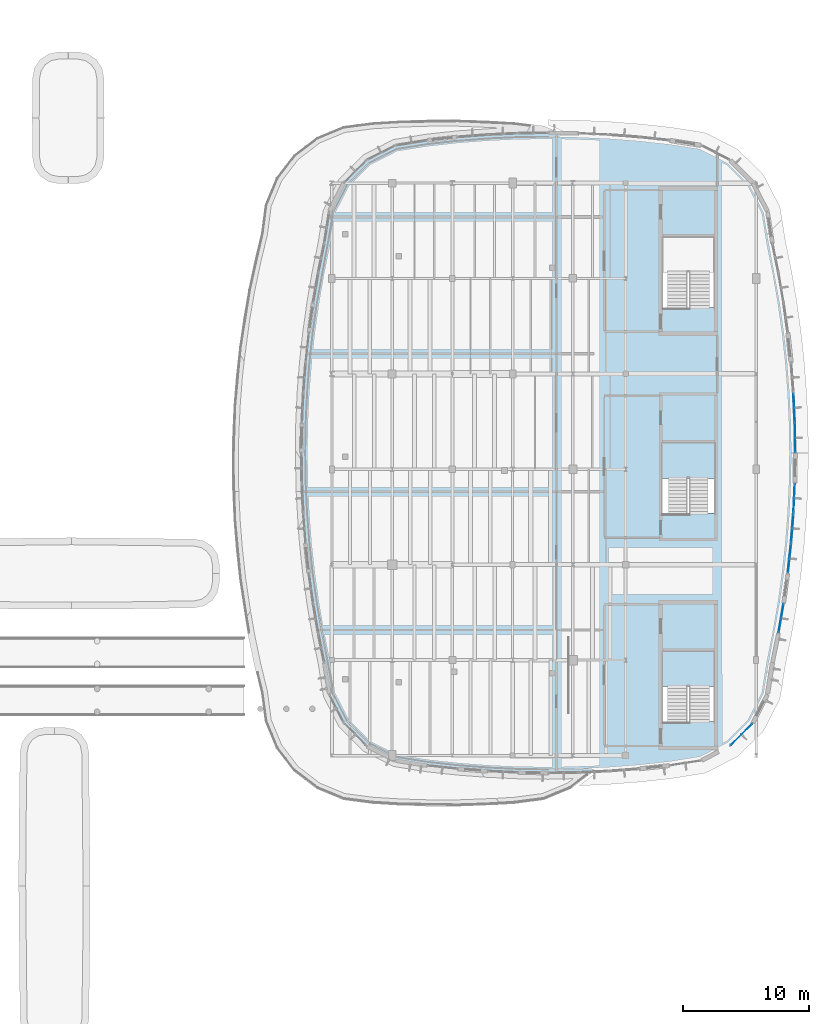
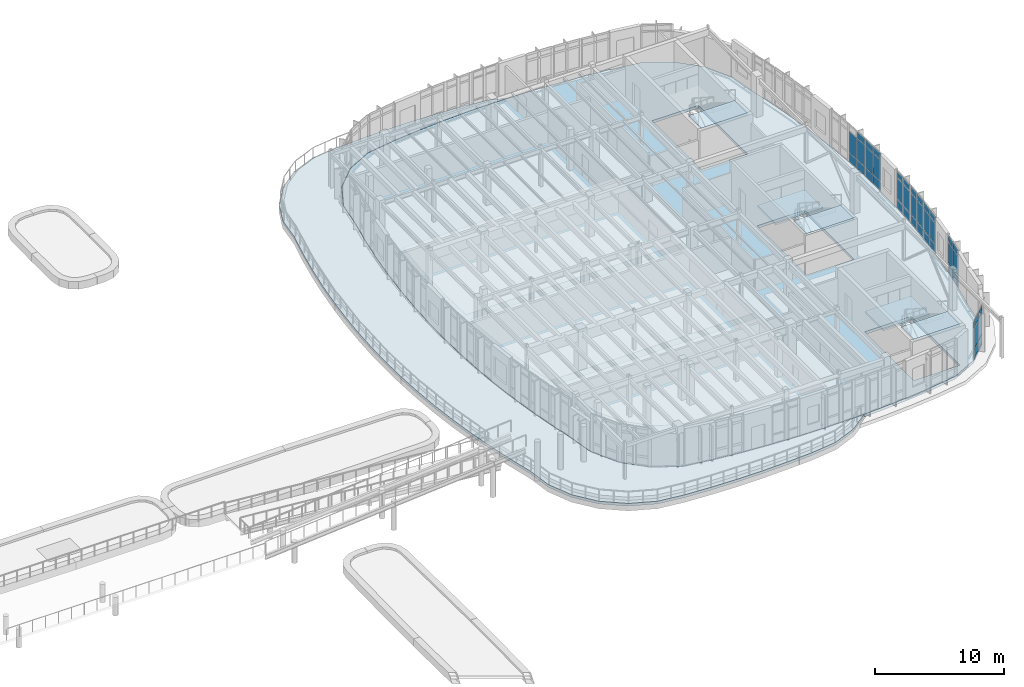
# One storey, part 78 of 111: 41 plates, 7 slabs, 10 elements without a shape of their own.
"""IFC4 building model written with IfcOpenShell, lengths in metres."""

from ifc_helpers import new_model, si_unit, direction, frame, origin, origin_2d, place, context, subcontext, project, spatial, polyline, rectangle, outline, extrude, material, layer, layer_set, type_object, element, aggregate, save


model = new_model("IFC4")

# Units and contexts
model_context = context("Model", 3, precision=1e-05, world=origin(), true_north=direction((0.0, 1.0)))
body_context = subcontext(model_context, "Body", "Model", "MODEL_VIEW")
ifc_project = project(units=[si_unit("LENGTHUNIT", "METRE"), si_unit("AREAUNIT", "SQUARE_METRE"), si_unit("VOLUMEUNIT", "CUBIC_METRE"), si_unit("PLANEANGLEUNIT", "RADIAN"), si_unit("MASSUNIT", "GRAM", prefix="KILO")], contexts=[model_context])

# Site, building, storey
site_placement = place(None, origin())
site = spatial("IfcSite", under=ifc_project, at=site_placement, CompositionType="ELEMENT")
building_placement = place(site_placement, origin())
building = spatial("IfcBuilding", under=site, at=building_placement, Name="Corveleigh Park Community Centre", CompositionType="ELEMENT")
storey_placement = place(building_placement, frame((0.0, 0.0, 4.800048828125)))
storey = spatial("IfcBuildingStorey", under=building, at=storey_placement, Name="L01", CompositionType="ELEMENT", Elevation=4.800048828125)

# Curtain wall, plates
ifc_material_1 = material(Name="Anodised aluminium 6063-T6", Category="aluminium")
curtain_wall_type = type_object("IfcCurtainWallType", Name="CW-SYS-V4-L01", PredefinedType="NOTDEFINED", material=ifc_material_1)
curtain_wall_1_placement = place(storey_placement, origin())
curtain_wall_1 = element("IfcCurtainWall", 1, at=curtain_wall_1_placement, inside=storey, type_object=curtain_wall_type, Name="V4 L01 Curtain Wall 266", PredefinedType="NOTDEFINED")
ifc_material_2 = material(Name="Low-E double glazing", Category="glass")
ifc_layer_1 = layer(ifc_material_2, 0.02392578125, Name="Low-E double glazing", Category="glass")
ifc_layer_set_1 = layer_set([ifc_layer_1], Name="Low-E double glazing")
plate_type_1 = type_object("IfcPlateType", Name="CWP-GLZ-24", PredefinedType="CURTAIN_PANEL", material=ifc_layer_set_1)
plate_1_placement = place(storey_placement, frame((167.655517578125, 60.701416015625, 0.059814453125), z_axis=(0.0, 0.0, 1.0), x_axis=(-0.707106781187, -0.707106781187, 0.0)))
plate_1 = element("IfcPlate", 2, at=plate_1_placement, type_object=plate_type_1, Name="CW08 panel 1.1", PredefinedType="CURTAIN_PANEL", context=body_context, shape_type="SweptSolid", body=[
    extrude(rectangle(XDim=1.14697265625, YDim=0.02392578125, at=origin_2d()), origin(), (0.0, 0.0, 1.0), 0.81005859375),
])
plate_2_placement = place(storey_placement, frame((167.655517578125, 60.701416015625, 0.929931640625), z_axis=(0.0, 0.0, 1.0), x_axis=(-0.707106781187, -0.707106781187, 0.0)))
plate_2 = element("IfcPlate", 3, at=plate_2_placement, type_object=plate_type_1, Name="CW08 panel 1.2", PredefinedType="CURTAIN_PANEL", context=body_context, shape_type="SweptSolid", body=[
    extrude(rectangle(XDim=1.14697265625, YDim=0.02392578125, at=origin_2d()), origin(), (0.0, 0.0, 1.0), 2.001953125),
])
plate_3_placement = place(storey_placement, frame((167.655517578125, 60.701416015625, 2.991943359375), z_axis=(0.0, 0.0, 1.0), x_axis=(-0.707106781187, -0.707106781187, 0.0)))
plate_3 = element("IfcPlate", 4, at=plate_3_placement, type_object=plate_type_1, Name="CW08 panel 1.3", PredefinedType="CURTAIN_PANEL", context=body_context, shape_type="SweptSolid", body=[
    extrude(rectangle(XDim=1.14697265625, YDim=0.02392578125, at=origin_2d()), origin(), (0.0, 0.0, 1.0), 0.56005859375),
])
plate_4_placement = place(storey_placement, frame((166.798583984375, 59.844482421875, 0.059814453125), z_axis=(0.0, 0.0, 1.0), x_axis=(-0.707106781187, -0.707106781187, 0.0)))
plate_4 = element("IfcPlate", 5, at=plate_4_placement, type_object=plate_type_1, Name="CW08 panel 2.1", PredefinedType="CURTAIN_PANEL", context=body_context, shape_type="SweptSolid", body=[
    extrude(rectangle(XDim=1.14697265625, YDim=0.02392578125, at=origin_2d()), origin(), (0.0, 0.0, 1.0), 0.81005859375),
])
plate_5_placement = place(storey_placement, frame((166.798583984375, 59.844482421875, 0.929931640625), z_axis=(0.0, 0.0, 1.0), x_axis=(-0.707106781187, -0.707106781187, 0.0)))
plate_5 = element("IfcPlate", 6, at=plate_5_placement, type_object=plate_type_1, Name="CW08 panel 2.2", PredefinedType="CURTAIN_PANEL", context=body_context, shape_type="SweptSolid", body=[
    extrude(rectangle(XDim=1.14697265625, YDim=0.02392578125, at=origin_2d()), origin(), (0.0, 0.0, 1.0), 2.001953125),
])
plate_6_placement = place(storey_placement, frame((166.798583984375, 59.844482421875, 2.991943359375), z_axis=(0.0, 0.0, 1.0), x_axis=(-0.707106781187, -0.707106781187, 0.0)))
plate_6 = element("IfcPlate", 7, at=plate_6_placement, type_object=plate_type_1, Name="CW08 panel 2.3", PredefinedType="CURTAIN_PANEL", context=body_context, shape_type="SweptSolid", body=[
    extrude(rectangle(XDim=1.14697265625, YDim=0.02392578125, at=origin_2d()), origin(), (0.0, 0.0, 1.0), 0.56005859375),
])
aggregate(curtain_wall_1, [plate_1, plate_2, plate_3, plate_4, plate_5, plate_6])

curtain_wall_2_placement = place(storey_placement, origin())
curtain_wall_2 = element("IfcCurtainWall", 8, at=curtain_wall_2_placement, inside=storey, type_object=curtain_wall_type, Name="V4 L01 Curtain Wall 267", PredefinedType="NOTDEFINED")
ifc_layer_2 = layer(ifc_material_2, 0.028076171875, Name="Low-E double glazing", Category="glass")
ifc_layer_set_2 = layer_set([ifc_layer_2], Name="Low-E double glazing")
plate_type_2 = type_object("IfcPlateType", Name="CWP-GLZ-28", PredefinedType="CURTAIN_PANEL", material=ifc_layer_set_2)
plate_7_placement = place(storey_placement, frame((170.483154296875, 70.111083984375, 0.06494140625), z_axis=(0.0, 0.0, 1.0), x_axis=(-0.16935940473, -0.985554357724, 0.0)))
plate_7 = element("IfcPlate", 9, at=plate_7_placement, type_object=plate_type_2, Name="CW08 panel 1.1", PredefinedType="CURTAIN_PANEL", context=body_context, shape_type="SweptSolid", body=[
    extrude(rectangle(XDim=1.087646484375, YDim=0.028076171875, at=origin_2d()), origin(), (0.0, 0.0, 1.0), 0.802490234375),
])
plate_8_placement = place(storey_placement, frame((170.483154296875, 70.111083984375, 0.932373046875), z_axis=(0.0, 0.0, 1.0), x_axis=(-0.16935940473, -0.985554357724, 0.0)))
plate_8 = element("IfcPlate", 10, at=plate_8_placement, type_object=plate_type_2, Name="CW08 panel 1.2", PredefinedType="CURTAIN_PANEL", context=body_context, shape_type="SweptSolid", body=[
    extrude(rectangle(XDim=1.087646484375, YDim=0.028076171875, at=origin_2d()), origin(), (0.0, 0.0, 1.0), 1.9970703125),
])
plate_9_placement = place(storey_placement, frame((170.483154296875, 70.111083984375, 2.99462890625), z_axis=(0.0, 0.0, 1.0), x_axis=(-0.16935940473, -0.985554357724, 0.0)))
plate_9 = element("IfcPlate", 11, at=plate_9_placement, type_object=plate_type_2, Name="CW08 panel 1.3", PredefinedType="CURTAIN_PANEL", context=body_context, shape_type="SweptSolid", body=[
    extrude(rectangle(XDim=1.087646484375, YDim=0.028076171875, at=origin_2d()), origin(), (0.0, 0.0, 1.0), 0.552490234375),
])
plate_10_placement = place(storey_placement, frame((170.286865234375, 68.969970703125, 0.06494140625), z_axis=(0.0, 0.0, 1.0), x_axis=(-0.16935940473, -0.985554357724, 0.0)))
plate_10 = element("IfcPlate", 12, at=plate_10_placement, type_object=plate_type_2, Name="CW08 panel 2.1", PredefinedType="CURTAIN_PANEL", context=body_context, shape_type="SweptSolid", body=[
    extrude(rectangle(XDim=1.087646484375, YDim=0.028076171875, at=origin_2d()), origin(), (0.0, 0.0, 1.0), 0.802490234375),
])
plate_11_placement = place(storey_placement, frame((170.286865234375, 68.969970703125, 0.932373046875), z_axis=(0.0, 0.0, 1.0), x_axis=(-0.16935940473, -0.985554357724, 0.0)))
plate_11 = element("IfcPlate", 13, at=plate_11_placement, type_object=plate_type_2, Name="CW08 panel 2.2", PredefinedType="CURTAIN_PANEL", context=body_context, shape_type="SweptSolid", body=[
    extrude(rectangle(XDim=1.087646484375, YDim=0.028076171875, at=origin_2d()), origin(), (0.0, 0.0, 1.0), 1.9970703125),
])
plate_12_placement = place(storey_placement, frame((170.286865234375, 68.969970703125, 2.99462890625), z_axis=(0.0, 0.0, 1.0), x_axis=(-0.16935940473, -0.985554357724, 0.0)))
plate_12 = element("IfcPlate", 14, at=plate_12_placement, type_object=plate_type_2, Name="CW08 panel 2.3", PredefinedType="CURTAIN_PANEL", context=body_context, shape_type="SweptSolid", body=[
    extrude(rectangle(XDim=1.087646484375, YDim=0.028076171875, at=origin_2d()), origin(), (0.0, 0.0, 1.0), 0.552490234375),
])
aggregate(curtain_wall_2, [plate_7, plate_8, plate_9, plate_10, plate_11, plate_12])

curtain_wall_3_placement = place(storey_placement, origin())
curtain_wall_3 = element("IfcCurtainWall", 15, at=curtain_wall_3_placement, inside=storey, type_object=curtain_wall_type, Name="V4 L01 Curtain Wall 268", PredefinedType="NOTDEFINED")
plate_13_placement = place(storey_placement, frame((171.115478515625, 74.87646484375, 0.070068359375), z_axis=(0.0, 0.0, 1.0), x_axis=(-0.108131218641, -0.994136630225, 0.0)))
plate_13 = element("IfcPlate", 16, at=plate_13_placement, type_object=plate_type_2, Name="CW08 panel 1.1", PredefinedType="CURTAIN_PANEL", context=body_context, shape_type="SweptSolid", body=[
    extrude(rectangle(XDim=1.08056640625, YDim=0.028076171875, at=origin_2d()), origin(), (0.0, 0.0, 1.0), 0.794921875),
])
plate_14_placement = place(storey_placement, frame((171.115478515625, 74.87646484375, 0.93505859375), z_axis=(0.0, 0.0, 1.0), x_axis=(-0.108131218641, -0.994136630225, 0.0)))
plate_14 = element("IfcPlate", 17, at=plate_14_placement, type_object=plate_type_2, Name="CW08 panel 1.2", PredefinedType="CURTAIN_PANEL", context=body_context, shape_type="SweptSolid", body=[
    extrude(rectangle(XDim=1.08056640625, YDim=0.028076171875, at=origin_2d()), origin(), (0.0, 0.0, 1.0), 1.991943359375),
])
plate_15_placement = place(storey_placement, frame((171.115478515625, 74.87646484375, 2.9970703125), z_axis=(0.0, 0.0, 1.0), x_axis=(-0.108131218641, -0.994136630225, 0.0)))
plate_15 = element("IfcPlate", 18, at=plate_15_placement, type_object=plate_type_2, Name="CW08 panel 1.3", PredefinedType="CURTAIN_PANEL", context=body_context, shape_type="SweptSolid", body=[
    extrude(rectangle(XDim=1.08056640625, YDim=0.028076171875, at=origin_2d()), origin(), (0.0, 0.0, 1.0), 0.544921875),
])
plate_16_placement = place(storey_placement, frame((170.990478515625, 73.7275390625, 0.070068359375), z_axis=(0.0, 0.0, 1.0), x_axis=(-0.108131218641, -0.994136630225, 0.0)))
plate_16 = element("IfcPlate", 19, at=plate_16_placement, type_object=plate_type_2, Name="CW08 panel 2.1", PredefinedType="CURTAIN_PANEL", context=body_context, shape_type="SweptSolid", body=[
    extrude(rectangle(XDim=1.08056640625, YDim=0.028076171875, at=origin_2d()), origin(), (0.0, 0.0, 1.0), 0.794921875),
])
plate_17_placement = place(storey_placement, frame((170.990478515625, 73.7275390625, 0.93505859375), z_axis=(0.0, 0.0, 1.0), x_axis=(-0.108131218641, -0.994136630225, 0.0)))
plate_17 = element("IfcPlate", 20, at=plate_17_placement, type_object=plate_type_2, Name="CW08 panel 2.2", PredefinedType="CURTAIN_PANEL", context=body_context, shape_type="SweptSolid", body=[
    extrude(rectangle(XDim=1.08056640625, YDim=0.028076171875, at=origin_2d()), origin(), (0.0, 0.0, 1.0), 1.991943359375),
])
plate_18_placement = place(storey_placement, frame((170.990478515625, 73.7275390625, 2.9970703125), z_axis=(0.0, 0.0, 1.0), x_axis=(-0.108131218641, -0.994136630225, 0.0)))
plate_18 = element("IfcPlate", 21, at=plate_18_placement, type_object=plate_type_2, Name="CW08 panel 2.3", PredefinedType="CURTAIN_PANEL", context=body_context, shape_type="SweptSolid", body=[
    extrude(rectangle(XDim=1.08056640625, YDim=0.028076171875, at=origin_2d()), origin(), (0.0, 0.0, 1.0), 0.544921875),
])
aggregate(curtain_wall_3, [plate_13, plate_14, plate_15, plate_16, plate_17, plate_18])

curtain_wall_4_placement = place(storey_placement, origin())
curtain_wall_4 = element("IfcCurtainWall", 22, at=curtain_wall_4_placement, inside=storey, type_object=curtain_wall_type, Name="V4 L01 Curtain Wall 269", PredefinedType="NOTDEFINED")
ifc_layer_3 = layer(ifc_material_2, 0.031982421875, Name="Low-E double glazing", Category="glass")
ifc_layer_set_3 = layer_set([ifc_layer_3], Name="Low-E double glazing")
plate_type_3 = type_object("IfcPlateType", Name="CWP-GLZ-32", PredefinedType="CURTAIN_PANEL", material=ifc_layer_set_3)
plate_19_placement = place(storey_placement, frame((171.320556640625, 77.270263671875, 0.074951171875), z_axis=(0.0, 0.0, 1.0), x_axis=(-0.077113119982, -0.997022350164, 0.0)))
plate_19 = element("IfcPlate", 23, at=plate_19_placement, type_object=plate_type_3, Name="CW08 panel 1.1", PredefinedType="CURTAIN_PANEL", context=body_context, shape_type="SweptSolid", body=[
    extrude(rectangle(XDim=1.072998046875, YDim=0.031982421875, at=origin_2d()), origin(), (0.0, 0.0, 1.0), 0.78759765625),
])
plate_20_placement = place(storey_placement, frame((171.320556640625, 77.270263671875, 0.9375), z_axis=(0.0, 0.0, 1.0), x_axis=(-0.077113119982, -0.997022350164, 0.0)))
plate_20 = element("IfcPlate", 24, at=plate_20_placement, type_object=plate_type_3, Name="CW08 panel 1.2", PredefinedType="CURTAIN_PANEL", context=body_context, shape_type="SweptSolid", body=[
    extrude(rectangle(XDim=1.072998046875, YDim=0.031982421875, at=origin_2d()), origin(), (0.0, 0.0, 1.0), 1.987060546875),
])
plate_21_placement = place(storey_placement, frame((171.320556640625, 77.270263671875, 2.99951171875), z_axis=(0.0, 0.0, 1.0), x_axis=(-0.077113119982, -0.997022350164, 0.0)))
plate_21 = element("IfcPlate", 25, at=plate_21_placement, type_object=plate_type_3, Name="CW08 panel 1.3", PredefinedType="CURTAIN_PANEL", context=body_context, shape_type="SweptSolid", body=[
    extrude(rectangle(XDim=1.072998046875, YDim=0.031982421875, at=origin_2d()), origin(), (0.0, 0.0, 1.0), 0.53759765625),
])
plate_22_placement = place(storey_placement, frame((171.2314453125, 76.12060546875, 0.074951171875), z_axis=(0.0, 0.0, 1.0), x_axis=(-0.077113119982, -0.997022350164, 0.0)))
plate_22 = element("IfcPlate", 26, at=plate_22_placement, type_object=plate_type_3, Name="CW08 panel 2.1", PredefinedType="CURTAIN_PANEL", context=body_context, shape_type="SweptSolid", body=[
    extrude(rectangle(XDim=1.072998046875, YDim=0.031982421875, at=origin_2d()), origin(), (0.0, 0.0, 1.0), 0.78759765625),
])
plate_23_placement = place(storey_placement, frame((171.2314453125, 76.12060546875, 0.9375), z_axis=(0.0, 0.0, 1.0), x_axis=(-0.077113119982, -0.997022350164, 0.0)))
plate_23 = element("IfcPlate", 27, at=plate_23_placement, type_object=plate_type_3, Name="CW08 panel 2.2", PredefinedType="CURTAIN_PANEL", context=body_context, shape_type="SweptSolid", body=[
    extrude(rectangle(XDim=1.072998046875, YDim=0.031982421875, at=origin_2d()), origin(), (0.0, 0.0, 1.0), 1.987060546875),
])
plate_24_placement = place(storey_placement, frame((171.2314453125, 76.12060546875, 2.99951171875), z_axis=(0.0, 0.0, 1.0), x_axis=(-0.077113119982, -0.997022350164, 0.0)))
plate_24 = element("IfcPlate", 28, at=plate_24_placement, type_object=plate_type_3, Name="CW08 panel 2.3", PredefinedType="CURTAIN_PANEL", context=body_context, shape_type="SweptSolid", body=[
    extrude(rectangle(XDim=1.072998046875, YDim=0.031982421875, at=origin_2d()), origin(), (0.0, 0.0, 1.0), 0.53759765625),
])
aggregate(curtain_wall_4, [plate_19, plate_20, plate_21, plate_22, plate_23, plate_24])

curtain_wall_5_placement = place(storey_placement, origin())
curtain_wall_5 = element("IfcCurtainWall", 29, at=curtain_wall_5_placement, inside=storey, type_object=curtain_wall_type, Name="V4 L01 Curtain Wall 270", PredefinedType="NOTDEFINED")
plate_25_placement = place(storey_placement, frame((171.451904296875, 79.669677734375, 0.080078125), z_axis=(0.0, 0.0, 1.0), x_axis=(-0.046928106618, -0.9988982695, 0.0)))
plate_25 = element("IfcPlate", 30, at=plate_25_placement, type_object=plate_type_3, Name="CW08 panel 1.1", PredefinedType="CURTAIN_PANEL", context=body_context, shape_type="SweptSolid", body=[
    extrude(rectangle(XDim=1.06591796875, YDim=0.031982421875, at=origin_2d()), origin(), (0.0, 0.0, 1.0), 0.780029296875),
])
plate_26_placement = place(storey_placement, frame((171.451904296875, 79.669677734375, 0.93994140625), z_axis=(0.0, 0.0, 1.0), x_axis=(-0.046928106618, -0.9988982695, 0.0)))
plate_26 = element("IfcPlate", 31, at=plate_26_placement, type_object=plate_type_3, Name="CW08 panel 1.2", PredefinedType="CURTAIN_PANEL", context=body_context, shape_type="SweptSolid", body=[
    extrude(rectangle(XDim=1.06591796875, YDim=0.031982421875, at=origin_2d()), origin(), (0.0, 0.0, 1.0), 1.98193359375),
])
plate_27_placement = place(storey_placement, frame((171.451904296875, 79.669677734375, 3.001953125), z_axis=(0.0, 0.0, 1.0), x_axis=(-0.046928106618, -0.9988982695, 0.0)))
plate_27 = element("IfcPlate", 32, at=plate_27_placement, type_object=plate_type_3, Name="CW08 panel 1.3", PredefinedType="CURTAIN_PANEL", context=body_context, shape_type="SweptSolid", body=[
    extrude(rectangle(XDim=1.06591796875, YDim=0.031982421875, at=origin_2d()), origin(), (0.0, 0.0, 1.0), 0.530029296875),
])
plate_28_placement = place(storey_placement, frame((171.39794921875, 78.520263671875, 0.080078125), z_axis=(0.0, 0.0, 1.0), x_axis=(-0.046928106618, -0.9988982695, 0.0)))
plate_28 = element("IfcPlate", 33, at=plate_28_placement, type_object=plate_type_3, Name="CW08 panel 2.1", PredefinedType="CURTAIN_PANEL", context=body_context, shape_type="SweptSolid", body=[
    extrude(rectangle(XDim=1.06591796875, YDim=0.031982421875, at=origin_2d()), origin(), (0.0, 0.0, 1.0), 0.780029296875),
])
plate_29_placement = place(storey_placement, frame((171.39794921875, 78.520263671875, 0.93994140625), z_axis=(0.0, 0.0, 1.0), x_axis=(-0.046928106618, -0.9988982695, 0.0)))
plate_29 = element("IfcPlate", 34, at=plate_29_placement, type_object=plate_type_3, Name="CW08 panel 2.2", PredefinedType="CURTAIN_PANEL", context=body_context, shape_type="SweptSolid", body=[
    extrude(rectangle(XDim=1.06591796875, YDim=0.031982421875, at=origin_2d()), origin(), (0.0, 0.0, 1.0), 1.98193359375),
])
plate_30_placement = place(storey_placement, frame((171.39794921875, 78.520263671875, 3.001953125), z_axis=(0.0, 0.0, 1.0), x_axis=(-0.046928106618, -0.9988982695, 0.0)))
plate_30 = element("IfcPlate", 35, at=plate_30_placement, type_object=plate_type_3, Name="CW08 panel 2.3", PredefinedType="CURTAIN_PANEL", context=body_context, shape_type="SweptSolid", body=[
    extrude(rectangle(XDim=1.06591796875, YDim=0.031982421875, at=origin_2d()), origin(), (0.0, 0.0, 1.0), 0.530029296875),
])
aggregate(curtain_wall_5, [plate_25, plate_26, plate_27, plate_28, plate_29, plate_30])

curtain_wall_6_placement = place(storey_placement, origin())
curtain_wall_6 = element("IfcCurtainWall", 36, at=curtain_wall_6_placement, inside=storey, type_object=curtain_wall_type, Name="V4 L01 Curtain Wall 271", PredefinedType="NOTDEFINED")
ifc_layer_4 = layer(ifc_material_2, 0.035888671875, Name="Low-E double glazing", Category="glass")
ifc_layer_set_4 = layer_set([ifc_layer_4], Name="Low-E double glazing")
plate_type_4 = type_object("IfcPlateType", Name="CWP-GLZ-36", PredefinedType="CURTAIN_PANEL", material=ifc_layer_set_4)
plate_31_placement = place(storey_placement, frame((171.490478515625, 84.4833984375, 0.059814453125), z_axis=(0.0, 0.0, 1.0), x_axis=(0.015505260721, -0.999879786219, 0.0)))
plate_31 = element("IfcPlate", 37, at=plate_31_placement, type_object=plate_type_4, Name="CW08 panel 1.1", PredefinedType="CURTAIN_PANEL", context=body_context, shape_type="SweptSolid", body=[
    extrude(rectangle(XDim=1.10302734375, YDim=0.035888671875, at=origin_2d()), origin(), (0.0, 0.0, 1.0), 0.81005859375),
])
plate_32_placement = place(storey_placement, frame((171.490478515625, 84.4833984375, 0.929931640625), z_axis=(0.0, 0.0, 1.0), x_axis=(0.015505260721, -0.999879786219, 0.0)))
plate_32 = element("IfcPlate", 38, at=plate_32_placement, type_object=plate_type_4, Name="CW08 panel 1.2", PredefinedType="CURTAIN_PANEL", context=body_context, shape_type="SweptSolid", body=[
    extrude(rectangle(XDim=1.10302734375, YDim=0.035888671875, at=origin_2d()), origin(), (0.0, 0.0, 1.0), 2.001953125),
])
plate_33_placement = place(storey_placement, frame((171.490478515625, 84.4833984375, 2.991943359375), z_axis=(0.0, 0.0, 1.0), x_axis=(0.015505260721, -0.999879786219, 0.0)))
plate_33 = element("IfcPlate", 39, at=plate_33_placement, type_object=plate_type_4, Name="CW08 panel 1.3", PredefinedType="CURTAIN_PANEL", context=body_context, shape_type="SweptSolid", body=[
    extrude(rectangle(XDim=1.10302734375, YDim=0.035888671875, at=origin_2d()), origin(), (0.0, 0.0, 1.0), 0.56005859375),
])
plate_34_placement = place(storey_placement, frame((171.508544921875, 83.320556640625, 0.059814453125), z_axis=(0.0, 0.0, 1.0), x_axis=(0.015505260721, -0.999879786219, 0.0)))
plate_34 = element("IfcPlate", 40, at=plate_34_placement, type_object=plate_type_4, Name="CW08 panel 2.1", PredefinedType="CURTAIN_PANEL", context=body_context, shape_type="SweptSolid", body=[
    extrude(rectangle(XDim=1.10302734375, YDim=0.035888671875, at=origin_2d()), origin(), (0.0, 0.0, 1.0), 0.81005859375),
])
plate_35_placement = place(storey_placement, frame((171.508544921875, 83.320556640625, 0.929931640625), z_axis=(0.0, 0.0, 1.0), x_axis=(0.015505260721, -0.999879786219, 0.0)))
plate_35 = element("IfcPlate", 41, at=plate_35_placement, type_object=plate_type_4, Name="CW08 panel 2.2", PredefinedType="CURTAIN_PANEL", context=body_context, shape_type="SweptSolid", body=[
    extrude(rectangle(XDim=1.10302734375, YDim=0.035888671875, at=origin_2d()), origin(), (0.0, 0.0, 1.0), 2.001953125),
])
plate_36_placement = place(storey_placement, frame((171.508544921875, 83.320556640625, 2.991943359375), z_axis=(0.0, 0.0, 1.0), x_axis=(0.015505260721, -0.999879786219, 0.0)))
plate_36 = element("IfcPlate", 42, at=plate_36_placement, type_object=plate_type_4, Name="CW08 panel 2.3", PredefinedType="CURTAIN_PANEL", context=body_context, shape_type="SweptSolid", body=[
    extrude(rectangle(XDim=1.10302734375, YDim=0.035888671875, at=origin_2d()), origin(), (0.0, 0.0, 1.0), 0.56005859375),
])
aggregate(curtain_wall_6, [plate_31, plate_32, plate_33, plate_34, plate_35, plate_36])

curtain_wall_7_placement = place(storey_placement, origin())
curtain_wall_7 = element("IfcCurtainWall", 43, at=curtain_wall_7_placement, inside=storey, type_object=curtain_wall_type, Name="V4 L01 Curtain Wall 272", PredefinedType="NOTDEFINED")
plate_37_placement = place(storey_placement, frame((171.397705078125, 86.884765625, 0.06494140625), z_axis=(0.0, 0.0, 1.0), x_axis=(0.046928106618, -0.9988982695, 0.0)))
plate_37 = element("IfcPlate", 44, at=plate_37_placement, type_object=plate_type_4, Name="CW08 panel 1.1", PredefinedType="CURTAIN_PANEL", context=body_context, shape_type="SweptSolid", body=[
    extrude(rectangle(XDim=1.095703125, YDim=0.035888671875, at=origin_2d()), origin(), (0.0, 0.0, 1.0), 0.802490234375),
])
plate_38_placement = place(storey_placement, frame((171.397705078125, 86.884765625, 0.932373046875), z_axis=(0.0, 0.0, 1.0), x_axis=(0.046928106618, -0.9988982695, 0.0)))
plate_38 = element("IfcPlate", 45, at=plate_38_placement, type_object=plate_type_4, Name="CW08 panel 1.2", PredefinedType="CURTAIN_PANEL", context=body_context, shape_type="SweptSolid", body=[
    extrude(rectangle(XDim=1.095703125, YDim=0.035888671875, at=origin_2d()), origin(), (0.0, 0.0, 1.0), 1.9970703125),
])
plate_39_placement = place(storey_placement, frame((171.4521484375, 85.725341796875, 0.06494140625), z_axis=(0.0, 0.0, 1.0), x_axis=(0.046928106618, -0.9988982695, 0.0)))
plate_39 = element("IfcPlate", 46, at=plate_39_placement, type_object=plate_type_4, Name="CW08 panel 2.1", PredefinedType="CURTAIN_PANEL", context=body_context, shape_type="SweptSolid", body=[
    extrude(rectangle(XDim=1.095703125, YDim=0.035888671875, at=origin_2d()), origin(), (0.0, 0.0, 1.0), 0.802490234375),
])
plate_40_placement = place(storey_placement, frame((171.4521484375, 85.725341796875, 0.932373046875), z_axis=(0.0, 0.0, 1.0), x_axis=(0.046928106618, -0.9988982695, 0.0)))
plate_40 = element("IfcPlate", 47, at=plate_40_placement, type_object=plate_type_4, Name="CW08 panel 2.2", PredefinedType="CURTAIN_PANEL", context=body_context, shape_type="SweptSolid", body=[
    extrude(rectangle(XDim=1.095703125, YDim=0.035888671875, at=origin_2d()), origin(), (0.0, 0.0, 1.0), 1.9970703125),
])
plate_41_placement = place(storey_placement, frame((171.4521484375, 85.725341796875, 2.99462890625), z_axis=(0.0, 0.0, 1.0), x_axis=(0.046928106618, -0.9988982695, 0.0)))
plate_41 = element("IfcPlate", 48, at=plate_41_placement, type_object=plate_type_4, Name="CW08 panel 2.3", PredefinedType="CURTAIN_PANEL", context=body_context, shape_type="SweptSolid", body=[
    extrude(rectangle(XDim=1.095703125, YDim=0.035888671875, at=origin_2d()), origin(), (0.0, 0.0, 1.0), 0.552490234375),
])
aggregate(curtain_wall_7, [plate_37, plate_38, plate_39, plate_40, plate_41])

# Slab
ifc_material_3 = material(Name="Concrete C32/40", Category="concrete")
ifc_layer_5 = layer(ifc_material_3, 0.264892578125, Name="Concrete C32/40", Category="concrete")
ifc_layer_set_5 = layer_set([ifc_layer_5], Name="Concrete C32/40")
slab_type_1 = type_object("IfcSlabType", Name="SLB-FLR-265", PredefinedType="FLOOR", material=ifc_layer_set_5)
slab_1_placement = place(storey_placement, frame((0.0, 0.0, -0.26513671875)))
element("IfcSlab", 49, at=slab_1_placement, inside=storey, type_object=slab_type_1, Name="V4 L01 floor slab", PredefinedType="FLOOR", context=body_context, shape_type="SweptSolid", body=[
    extrude(outline(polyline([(139.666015625, 58.200927734375), (137.3798828125, 59.365966796875), (135.56591796875, 61.179931640625), (134.40087890625, 63.466064453125), (134.0, 66.0), (133.51904296875, 68.35595703125), (133.111083984375, 70.72509765625), (132.777099609375, 73.10693359375), (132.51708984375, 75.4970703125), (132.3310546875, 77.89404296875), (132.218994140625, 80.2958984375), (132.181884765625, 82.699951171875), (132.218994140625, 85.10400390625), (132.3310546875, 87.506103515625), (132.51708984375, 89.903076171875), (132.777099609375, 92.29296875), (133.111083984375, 94.675048828125), (133.51904296875, 97.0439453125), (134.0, 99.39990234375), (134.40087890625, 101.93408203125), (135.56591796875, 104.219970703125), (137.3798828125, 106.033935546875), (139.666015625, 107.198974609375), (142.199951171875, 107.60009765625), (144.60400390625, 107.861083984375), (147.01611328125, 108.047119140625), (149.431884765625, 108.158935546875), (151.85009765625, 108.196044921875), (154.26806640625, 108.158935546875), (156.68408203125, 108.047119140625), (159.095947265625, 107.861083984375), (161.5, 107.60009765625), (164.033935546875, 107.198974609375), (166.320068359375, 106.033935546875), (168.134033203125, 104.219970703125), (169.299072265625, 101.93408203125), (169.699951171875, 99.39990234375), (170.180908203125, 97.0439453125), (170.589111328125, 94.675048828125), (170.923095703125, 92.29296875), (171.18310546875, 89.903076171875), (171.368896484375, 87.506103515625), (171.48095703125, 85.10400390625), (171.51806640625, 82.699951171875), (171.48095703125, 80.2958984375), (171.368896484375, 77.89404296875), (171.18310546875, 75.4970703125), (170.923095703125, 73.10693359375), (170.589111328125, 70.72509765625), (170.180908203125, 68.35595703125), (169.699951171875, 66.0), (169.299072265625, 63.466064453125), (168.134033203125, 61.179931640625), (166.320068359375, 59.365966796875), (164.033935546875, 58.200927734375), (161.5, 57.800048828125), (159.095947265625, 57.5390625), (156.68408203125, 57.35302734375), (154.26806640625, 57.240966796875), (151.85009765625, 57.2041015625), (149.431884765625, 57.240966796875), (147.01611328125, 57.35302734375), (144.60400390625, 57.5390625), (142.199951171875, 57.800048828125), (139.666015625, 58.200927734375)]), holes=[polyline([(165.0791015625, 66.928955078125), (160.9208984375, 66.928955078125), (160.9208984375, 59.321044921875), (165.0791015625, 59.321044921875), (165.0791015625, 66.928955078125)]), polyline([(160.87109375, 83.529052734375), (160.87109375, 75.87109375), (165.12890625, 75.87109375), (165.12890625, 83.529052734375), (160.87109375, 83.529052734375)]), polyline([(165.0791015625, 99.928955078125), (160.9208984375, 99.928955078125), (160.9208984375, 92.321044921875), (165.0791015625, 92.321044921875), (165.0791015625, 99.928955078125)])]), origin(), (0.0, 0.0, 1.0), 0.26513671875),
])

# Stair, slabs
stair_type_1 = type_object("IfcStairType", Name="STR-HT-1600-390", PredefinedType="USERDEFINED", material=ifc_material_3)
stair_1_placement = place(storey_placement, origin())
stair_1 = element("IfcStair", 50, at=stair_1_placement, inside=storey, type_object=stair_type_1, Name="Protected escape stair ST1 (L01 to L02)", ObjectType="TWO_RETURN_STAIR", PredefinedType="USERDEFINED")
ifc_layer_6 = layer(ifc_material_3, 0.18798828125, Name="Concrete C32/40", Category="concrete")
ifc_layer_set_6 = layer_set([ifc_layer_6], Name="Concrete C32/40")
slab_type_2 = type_object("IfcSlabType", Name="SLB-LND-188", PredefinedType="LANDING", material=ifc_layer_set_6)
slab_2_placement = place(storey_placement, frame((0.0, 0.0, 1.761962890625)))
slab_2 = element("IfcSlab", 51, at=slab_2_placement, type_object=slab_type_2, Name="ST1 half landing", PredefinedType="LANDING", context=body_context, shape_type="SweptSolid", body=[
    extrude(outline(polyline([(160.927001953125, 64.0849609375), (165.072998046875, 64.0849609375), (165.072998046875, 66.923095703125), (160.927001953125, 66.923095703125), (160.927001953125, 64.0849609375)])), origin(), (0.0, 0.0, 1.0), 0.18798828125),
])
slab_3_placement = place(storey_placement, frame((0.0, 0.0, 3.7119140625)))
slab_3 = element("IfcSlab", 52, at=slab_3_placement, type_object=slab_type_2, Name="ST1 upper landing", PredefinedType="LANDING", context=body_context, shape_type="SweptSolid", body=[
    extrude(outline(polyline([(160.927001953125, 59.326904296875), (165.072998046875, 59.326904296875), (165.072998046875, 61.300048828125), (160.927001953125, 61.300048828125), (160.927001953125, 59.326904296875)])), origin(), (0.0, 0.0, 1.0), 0.18798828125),
])
aggregate(stair_1, [slab_2, slab_3])

# Stair, slab
stair_2_placement = place(storey_placement, origin())
stair_2 = element("IfcStair", 53, at=stair_2_placement, inside=storey, type_object=stair_type_1, Name="Protected escape stair ST2 (L01 to L02)", ObjectType="TWO_RETURN_STAIR", PredefinedType="USERDEFINED")
slab_4_placement = place(storey_placement, frame((0.0, 0.0, 3.7119140625)))
slab_4 = element("IfcSlab", 54, at=slab_4_placement, type_object=slab_type_2, Name="ST2 upper landing", PredefinedType="LANDING", context=body_context, shape_type="SweptSolid", body=[
    extrude(outline(polyline([(160.927001953125, 92.326904296875), (165.072998046875, 92.326904296875), (165.072998046875, 94.300048828125), (160.927001953125, 94.300048828125), (160.927001953125, 92.326904296875)])), origin(), (0.0, 0.0, 1.0), 0.18798828125),
])
aggregate(stair_2, [slab_4])

# Stair, slabs
stair_type_2 = type_object("IfcStairType", Name="STR-HT-1500-390", PredefinedType="USERDEFINED", material=ifc_material_3)
stair_3_placement = place(storey_placement, origin())
stair_3 = element("IfcStair", 55, at=stair_3_placement, inside=storey, type_object=stair_type_2, Name="Protected escape stair ST6 (L01 to L02)", ObjectType="TWO_RETURN_STAIR", PredefinedType="USERDEFINED")
slab_5_placement = place(storey_placement, frame((0.0, 0.0, 1.761962890625)))
slab_5 = element("IfcSlab", 56, at=slab_5_placement, type_object=slab_type_2, Name="ST6 half landing", PredefinedType="LANDING", context=body_context, shape_type="SweptSolid", body=[
    extrude(outline(polyline([(160.876953125, 80.68505859375), (165.123046875, 80.68505859375), (165.123046875, 83.52294921875), (160.876953125, 83.52294921875), (160.876953125, 80.68505859375)])), origin(), (0.0, 0.0, 1.0), 0.18798828125),
])
slab_6_placement = place(storey_placement, frame((0.0, 0.0, 3.7119140625)))
slab_6 = element("IfcSlab", 57, at=slab_6_placement, type_object=slab_type_2, Name="ST6 upper landing", PredefinedType="LANDING", context=body_context, shape_type="SweptSolid", body=[
    extrude(outline(polyline([(160.876953125, 75.876953125), (165.123046875, 75.876953125), (165.123046875, 77.89990234375), (160.876953125, 77.89990234375), (160.876953125, 75.876953125)])), origin(), (0.0, 0.0, 1.0), 0.18798828125),
])
aggregate(stair_3, [slab_5, slab_6])

# Slab
ifc_layer_7 = layer(ifc_material_3, 0.2548828125, Name="Concrete C32/40", Category="concrete")
ifc_layer_set_7 = layer_set([ifc_layer_7], Name="Concrete C32/40")
slab_type_3 = type_object("IfcSlabType", Name="SLB-TER-255", PredefinedType="FLOOR", material=ifc_layer_set_7)
slab_7_placement = place(storey_placement, frame((0.0, 0.0, -0.255126953125)))
element("IfcSlab", 58, at=slab_7_placement, inside=storey, type_object=slab_type_3, Name="Step 1 Learning Garden Terrace bay 1", PredefinedType="FLOOR", context=body_context, shape_type="SweptSolid", body=[
    extrude(outline(polyline([(153.60009765625, 55.97900390625), (151.47802734375, 55.10009765625), (149.199951171875, 54.800048828125), (146.922119140625, 54.659912109375), (144.64111328125, 54.589111328125), (142.35888671875, 54.589111328125), (140.077880859375, 54.659912109375), (137.800048828125, 54.800048828125), (135.52197265625, 55.10009765625), (133.39990234375, 55.97900390625), (131.576904296875, 57.376953125), (130.178955078125, 59.199951171875), (129.300048828125, 61.322021484375), (129.0, 63.60009765625), (128.4560546875, 65.846923828125), (127.98388671875, 68.111083984375), (127.583984375, 70.387939453125), (127.256103515625, 72.676025390625), (127.0, 74.97412109375), (126.818115234375, 77.279052734375), (126.7080078125, 79.587890625), (126.6708984375, 81.89990234375), (126.7080078125, 84.2119140625), (126.818115234375, 86.52099609375), (127.0, 88.825927734375), (127.256103515625, 91.1240234375), (127.583984375, 93.412109375), (127.98388671875, 95.68896484375), (128.4560546875, 97.952880859375), (129.0, 100.199951171875), (129.300048828125, 102.47802734375), (130.178955078125, 104.60009765625), (131.576904296875, 106.423095703125), (133.39990234375, 107.821044921875), (135.52197265625, 108.699951171875), (137.800048828125, 109.0), (140.077880859375, 109.139892578125), (142.35888671875, 109.2109375), (144.64111328125, 109.2109375), (146.922119140625, 109.139892578125), (149.199951171875, 109.0), (151.47802734375, 108.699951171875), (152.68994140625, 108.197998046875), (149.431884765625, 108.174072265625), (147.014892578125, 108.06201171875), (144.60302734375, 107.8759765625), (142.197998046875, 107.614990234375), (139.662109375, 107.212890625), (137.3720703125, 106.047119140625), (135.553955078125, 104.22900390625), (134.386962890625, 101.93798828125), (133.985107421875, 99.403076171875), (133.50390625, 97.047119140625), (133.095947265625, 94.677978515625), (132.761962890625, 92.294921875), (132.501953125, 89.904052734375), (132.31591796875, 87.507080078125), (132.2041015625, 85.10498046875), (132.1669921875, 82.699951171875), (132.2041015625, 80.2958984375), (132.31591796875, 77.89306640625), (132.501953125, 75.49609375), (132.761962890625, 73.10498046875), (133.095947265625, 70.722900390625), (133.50390625, 68.35302734375), (133.985107421875, 65.9970703125), (134.386962890625, 63.4619140625), (135.553955078125, 61.1708984375), (137.3720703125, 59.35302734375), (139.6640625, 58.18603515625), (142.197998046875, 57.784912109375), (144.60302734375, 57.52392578125), (147.014892578125, 57.337890625), (149.430908203125, 57.22607421875), (151.85009765625, 57.18896484375), (155.2880859375, 57.27294921875), (153.60009765625, 55.97900390625)])), origin(), (0.0, 0.0, 1.0), 0.255126953125),
])

save(model, "model.ifc")
